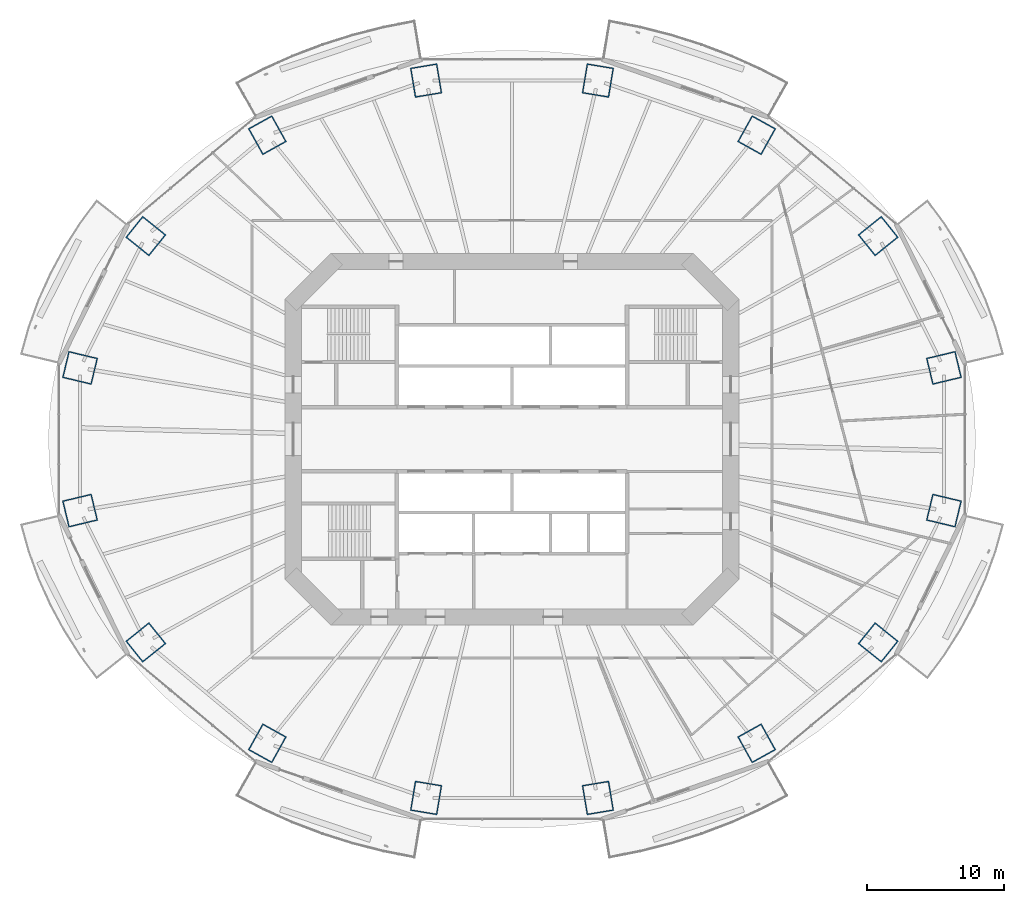
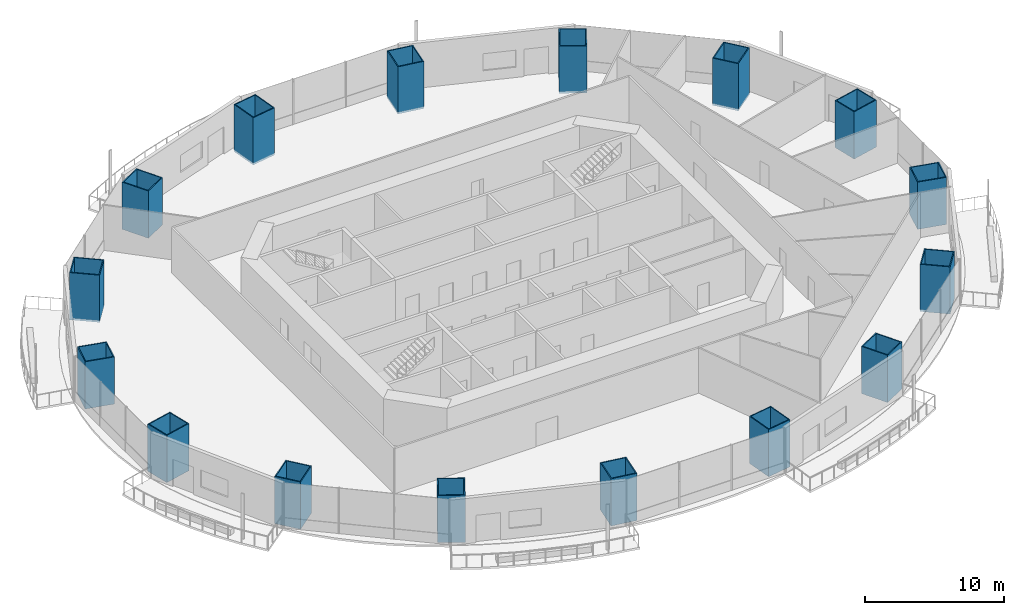
# One storey, part 1 of 21: 16 columns.
"""IFC4 building model written with IfcOpenShell, lengths in metres."""

from ifc_helpers import new_model, si_unit, direction, frame, origin, origin_2d, place, context, subcontext, project, spatial, rectangle, hollow_rectangle, extrude, material, material_profile, profile_set, type_object, element, save


model = new_model("IFC4")

# Units and contexts
model_context = context("Model", 3, precision=1e-05, world=origin(), true_north=direction((0.0, 1.0)))
body_context = subcontext(model_context, "Body", "Model", "MODEL_VIEW")
ifc_project = project(units=[si_unit("LENGTHUNIT", "METRE"), si_unit("AREAUNIT", "SQUARE_METRE"), si_unit("VOLUMEUNIT", "CUBIC_METRE"), si_unit("PLANEANGLEUNIT", "RADIAN"), si_unit("MASSUNIT", "GRAM", prefix="KILO")], contexts=[model_context])

# Site, building, storey
site_placement = place(None, origin())
site = spatial("IfcSite", under=ifc_project, at=site_placement, CompositionType="ELEMENT")
building_placement = place(site_placement, origin())
building = spatial("IfcBuilding", under=site, at=building_placement, Name="Marenthal Gate Tower", CompositionType="ELEMENT")
storey_placement = place(building_placement, frame((0.0, 0.0, 124.300048828125)))
storey = spatial("IfcBuildingStorey", under=building, at=storey_placement, Name="L26", CompositionType="ELEMENT", Elevation=124.300048828125)

# Columns
ifc_material_1 = material(Name="Steel S460", Category="steel")
ifc_material_profile_1 = material_profile(ifc_material_1, hollow_rectangle(XDim=2.0, YDim=2.199951171875, WallThickness=0.080078125, at=origin_2d()), Name="CFT BOX 2200X2000X80")
ifc_material_2 = material(Name="Concrete 70 MPa", Category="concrete")
ifc_material_profile_2 = material_profile(ifc_material_2, rectangle(XDim=1.840087890625, YDim=2.0400390625, at=origin_2d()), Name="CFT BOX 2200X2000X80 INFILL")
ifc_profile_set = profile_set([ifc_material_profile_1, ifc_material_profile_2], Name="Steel S460 shell, Concrete 70 MPa infill")
column_type = type_object("IfcColumnType", Name="CFT BOX 2200X2000X80", PredefinedType="COLUMN", material=ifc_profile_set)
for number, where, z_axis, x_axis, name in (
    (1, (31.585205078125, 5.217041015625, -0.179931640625), (0.0, 0.0, 1.0), (0.232949778707, -0.972488766311, 0.0), "COL-L26-01"),
    (2, (26.776611328125, 14.857177734375, -0.179931640625), (0.0, 0.0, 1.0), (0.626903009462, -0.779097308895, 0.0), "COL-L26-02"),
    (3, (17.8916015625, 22.235107421875, -0.179931640625), (0.0, 0.0, 1.0), (0.874418247414, -0.485172885257, 0.0), "COL-L26-03"),
    (4, (6.28271484375, 26.228271484375, -0.179931640625), (0.0, 0.0, 1.0), (0.986631388572, -0.162967797691, 0.0), "COL-L26-04"),
    (5, (-6.28271484375, 26.228271484375, -0.179931640625), (0.0, 0.0, 1.0), (0.986631388572, 0.162967797691, 0.0), "COL-L26-05"),
    (6, (-17.8916015625, 22.235107421875, -0.179931640625), (0.0, 0.0, 1.0), (0.874418247414, 0.485172885257, 0.0), "COL-L26-06"),
    (7, (-26.776611328125, 14.857177734375, -0.179931640625), (0.0, 0.0, 1.0), (0.626903009462, 0.779097308895, 0.0), "COL-L26-07"),
    (8, (-31.585205078125, 5.217041015625, -0.179931640625), (0.0, 0.0, 1.0), (0.232949778707, 0.972488766311, 0.0), "COL-L26-08"),
    (9, (-31.585205078125, -5.217041015625, -0.179931640625), (0.0, 0.0, 1.0), (-0.232949778707, 0.972488766311, 0.0), "COL-L26-09"),
    (10, (-26.776611328125, -14.857177734375, -0.179931640625), (0.0, 0.0, 1.0), (-0.626903009462, 0.779097308895, 0.0), "COL-L26-10"),
    (11, (-17.8916015625, -22.235107421875, -0.179931640625), (0.0, 0.0, 1.0), (-0.874418247414, 0.485172885257, 0.0), "COL-L26-11"),
    (12, (-6.28271484375, -26.228271484375, -0.179931640625), (0.0, 0.0, 1.0), (-0.986631388572, 0.162967797691, 0.0), "COL-L26-12"),
    (13, (6.28271484375, -26.228271484375, -0.179931640625), (0.0, 0.0, 1.0), (-0.986631388572, -0.162967797691, 0.0), "COL-L26-13"),
    (14, (17.8916015625, -22.235107421875, -0.179931640625), (0.0, 0.0, 1.0), (-0.874418247414, -0.485172885257, 0.0), "COL-L26-14"),
    (15, (26.776611328125, -14.857177734375, -0.179931640625), (0.0, 0.0, 1.0), (-0.626903009462, -0.779097308895, 0.0), "COL-L26-15"),
    (16, (31.585205078125, -5.217041015625, -0.179931640625), (0.0, 0.0, 1.0), (-0.232949778707, -0.972488766311, 0.0), "COL-L26-16"),
):
    element("IfcColumn", number, at=place(storey_placement, frame(where, z_axis=z_axis, x_axis=x_axis)), inside=storey, type_object=column_type, Name=name, PredefinedType="COLUMN", context=body_context, shape_type="SweptSolid", body=[
        extrude(hollow_rectangle(XDim=2.0, YDim=2.199951171875, WallThickness=0.080078125, at=origin_2d()), origin(), (0.0, 0.0, 1.0), 4.14990234375),
    ])

save(model, "model.ifc")
